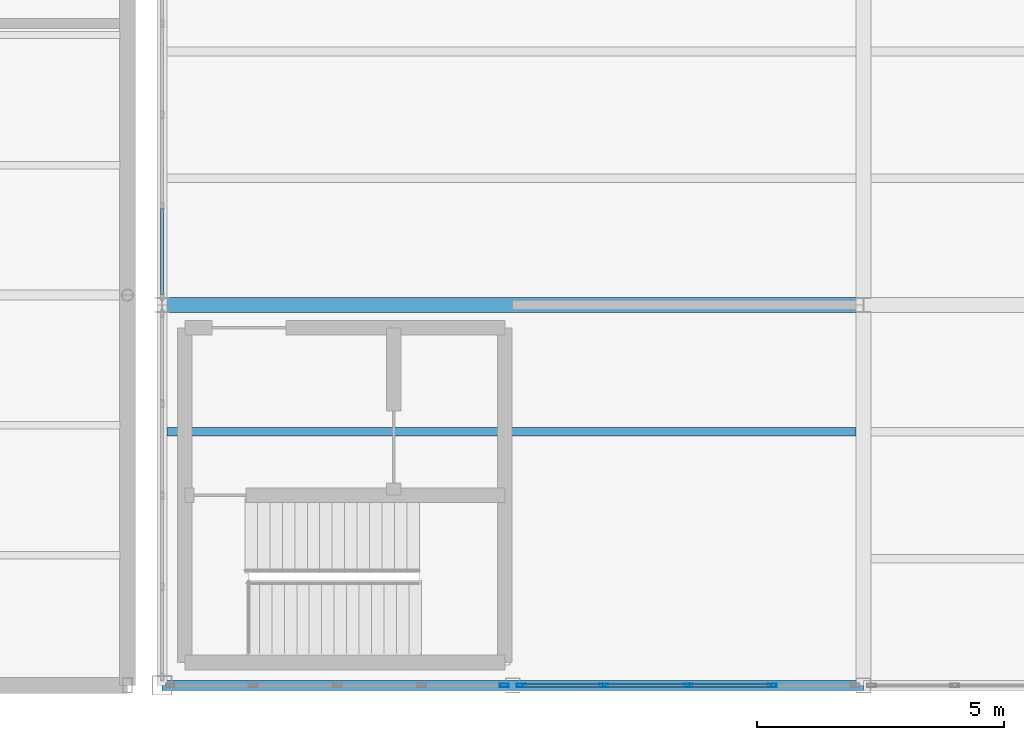
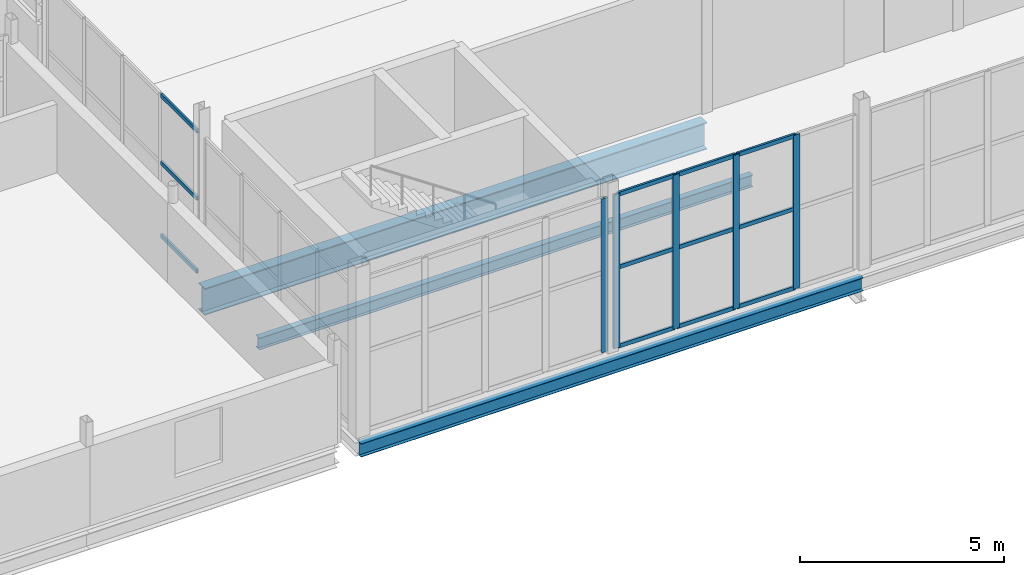
# One storey, part 106 of 218: 17 members, 3 beams, 3 elements without a shape of their own.
"""IFC4 building model written with IfcOpenShell, lengths in metres."""

from ifc_helpers import new_model, si_unit, direction, frame, origin, origin_2d, place, context, subcontext, project, spatial, hollow_rectangle, i_section, extrude, material, material_profile, profile_set, type_object, element, aggregate, save


model = new_model("IFC4")

# Units and contexts
model_context = context("Model", 3, precision=1e-05, world=origin(), true_north=direction((0.0, 1.0)))
body_context = subcontext(model_context, "Body", "Model", "MODEL_VIEW")
ifc_project = project(units=[si_unit("LENGTHUNIT", "METRE"), si_unit("AREAUNIT", "SQUARE_METRE"), si_unit("VOLUMEUNIT", "CUBIC_METRE"), si_unit("PLANEANGLEUNIT", "RADIAN"), si_unit("MASSUNIT", "GRAM", prefix="KILO")], contexts=[model_context])

# Site, building, storey
site_placement = place(None, origin())
site = spatial("IfcSite", under=ifc_project, at=site_placement, CompositionType="ELEMENT")
building_placement = place(site_placement, origin())
building = spatial("IfcBuilding", under=site, at=building_placement, Name="Kazenagashi Tramway Depot", CompositionType="ELEMENT")
storey_placement = place(building_placement, frame((0.0, 0.0, 6.0)))
storey = spatial("IfcBuildingStorey", under=building, at=storey_placement, Name="L02", CompositionType="ELEMENT", Elevation=6.0)

# Beams
ifc_material_1 = material(Name="Steel SN490B", Category="steel")
ifc_material_profile_1 = material_profile(ifc_material_1, i_section(OverallWidth=0.3, OverallDepth=0.8, WebThickness=0.014, FlangeThickness=0.026, at=origin_2d()), Name="H-800x300x14x26")
ifc_profile_set_1 = profile_set([ifc_material_profile_1], Name="Steel SN490B")
beam_type_1 = type_object("IfcBeamType", Name="G-07", PredefinedType="BEAM", material=ifc_profile_set_1)
beam_1_placement = place(storey_placement, frame((146.3, 7.7, -0.68), z_axis=(1.0, 0.0, 0.0), x_axis=(0.0, 1.0, 0.0)))
element("IfcBeam", 1, at=beam_1_placement, inside=storey, type_object=beam_type_1, Name="Beam G-07 BM-1190", PredefinedType="BEAM", context=body_context, shape_type="SweptSolid", body=[
    extrude(i_section(OverallWidth=0.3, OverallDepth=0.8, WebThickness=0.014, FlangeThickness=0.026, at=origin_2d()), origin(), (0.0, 0.0, 1.0), 14.2),
])
ifc_material_2 = material(Name="Steel SN400B", Category="steel")
ifc_material_profile_2 = material_profile(ifc_material_2, i_section(OverallWidth=0.175, OverallDepth=0.35, WebThickness=0.007, FlangeThickness=0.011, at=origin_2d()), Name="H-350x175x7x11")
ifc_profile_set_2 = profile_set([ifc_material_profile_2], Name="Steel SN400B")
beam_type_2 = type_object("IfcBeamType", Name="J-01", PredefinedType="JOIST", material=ifc_profile_set_2)
beam_2_placement = place(storey_placement, frame((146.4, 5.133, -0.455), z_axis=(1.0, 0.0, 0.0), x_axis=(0.0, 1.0, 0.0)))
element("IfcBeam", 2, at=beam_2_placement, inside=storey, type_object=beam_type_2, Name="Beam J-01 BM-1231", PredefinedType="JOIST", context=body_context, shape_type="SweptSolid", body=[
    extrude(i_section(OverallWidth=0.175, OverallDepth=0.35, WebThickness=0.007, FlangeThickness=0.011, at=origin_2d()), origin(), (0.0, 0.0, 1.0), 13.95),
])

# Curtain wall, member
ifc_material_3 = material(Name="Anodised Aluminium and Low-E Glazing", Category="aluminium")
curtain_wall_type_1 = type_object("IfcCurtainWallType", Name="CW-22", PredefinedType="USERDEFINED", material=ifc_material_3)
curtain_wall_1_placement = place(storey_placement, origin())
curtain_wall_1 = element("IfcCurtainWall", 3, at=curtain_wall_1_placement, inside=storey, type_object=curtain_wall_type_1, Name="Industrial Glazed Screen CW-22 CW-0119", ObjectType="GLAZED SCREEN", PredefinedType="USERDEFINED")
ifc_material_4 = material(Name="Anodised Aluminium", Category="aluminium")
ifc_material_profile_3 = material_profile(ifc_material_4, hollow_rectangle(XDim=0.07, YDim=0.18, WallThickness=0.005, at=origin_2d()), Name="RHS-180x70x5")
ifc_profile_set_3 = profile_set([ifc_material_profile_3], Name="Anodised Aluminium")
member_type_1 = type_object("IfcMemberType", Name="ML-02", PredefinedType="MULLION", material=ifc_profile_set_3)
member_1_placement = place(storey_placement, frame((153.23, 0.0, 0.0), z_axis=(0.0, 0.0, 1.0), x_axis=(0.0, 1.0, 0.0)))
member_1 = element("IfcMember", 4, at=member_1_placement, type_object=member_type_1, Name="CW-22 mullion 5", PredefinedType="MULLION", context=body_context, shape_type="SweptSolid", body=[
    extrude(hollow_rectangle(XDim=0.07, YDim=0.18, WallThickness=0.005, at=origin_2d()), origin(), (0.0, 0.0, 1.0), 4.6),
])
aggregate(curtain_wall_1, [member_1])

# Curtain wall, members
curtain_wall_2_placement = place(storey_placement, origin())
curtain_wall_2 = element("IfcCurtainWall", 5, at=curtain_wall_2_placement, inside=storey, type_object=curtain_wall_type_1, Name="Industrial Glazed Screen CW-22 CW-0120", ObjectType="GLAZED SCREEN", PredefinedType="USERDEFINED")
member_2_placement = place(storey_placement, frame((153.57, 0.0, 0.0), z_axis=(0.0, 0.0, 1.0), x_axis=(0.0, 1.0, 0.0)))
member_2 = element("IfcMember", 6, at=member_2_placement, type_object=member_type_1, Name="CW-22 mullion 1", PredefinedType="MULLION", context=body_context, shape_type="SweptSolid", body=[
    extrude(hollow_rectangle(XDim=0.07, YDim=0.18, WallThickness=0.005, at=origin_2d()), origin(), (0.0, 0.0, 1.0), 4.6),
])
member_3_placement = place(storey_placement, frame((155.245, 0.0, 0.0), z_axis=(0.0, 0.0, 1.0), x_axis=(0.0, 1.0, 0.0)))
member_3 = element("IfcMember", 7, at=member_3_placement, type_object=member_type_1, Name="CW-22 mullion 2", PredefinedType="MULLION", context=body_context, shape_type="SweptSolid", body=[
    extrude(hollow_rectangle(XDim=0.07, YDim=0.18, WallThickness=0.005, at=origin_2d()), origin(), (0.0, 0.0, 1.0), 4.6),
])
member_4_placement = place(storey_placement, frame((156.95, 0.0, 0.0), z_axis=(0.0, 0.0, 1.0), x_axis=(0.0, 1.0, 0.0)))
member_4 = element("IfcMember", 8, at=member_4_placement, type_object=member_type_1, Name="CW-22 mullion 3", PredefinedType="MULLION", context=body_context, shape_type="SweptSolid", body=[
    extrude(hollow_rectangle(XDim=0.07, YDim=0.18, WallThickness=0.005, at=origin_2d()), origin(), (0.0, 0.0, 1.0), 4.6),
])
member_5_placement = place(storey_placement, frame((158.655, 0.0, 0.0), z_axis=(0.0, 0.0, 1.0), x_axis=(0.0, 1.0, 0.0)))
member_5 = element("IfcMember", 9, at=member_5_placement, type_object=member_type_1, Name="CW-22 mullion 4", PredefinedType="MULLION", context=body_context, shape_type="SweptSolid", body=[
    extrude(hollow_rectangle(XDim=0.07, YDim=0.18, WallThickness=0.005, at=origin_2d()), origin(), (0.0, 0.0, 1.0), 4.6),
])

# Beam
ifc_material_profile_4 = material_profile(ifc_material_1, i_section(OverallWidth=0.2, OverallDepth=0.4, WebThickness=0.008, FlangeThickness=0.013, at=origin_2d()), Name="H-400x200x8x13")
ifc_profile_set_4 = profile_set([ifc_material_profile_4], Name="Steel SN490B")
beam_type_3 = type_object("IfcBeamType", Name="SP-04", PredefinedType="SPANDREL", material=ifc_profile_set_4)
beam_3_placement = place(storey_placement, frame((146.3, 0.0, -0.48), z_axis=(1.0, 0.0, 0.0), x_axis=(0.0, 1.0, 0.0)))
element("IfcBeam", 10, at=beam_3_placement, inside=storey, type_object=beam_type_3, Name="Beam SP-04 BM-1185", PredefinedType="SPANDREL", context=body_context, shape_type="SweptSolid", body=[
    extrude(i_section(OverallWidth=0.2, OverallDepth=0.4, WebThickness=0.008, FlangeThickness=0.013, at=origin_2d()), origin(), (0.0, 0.0, 1.0), 14.2),
])

# Member
ifc_material_profile_5 = material_profile(ifc_material_4, hollow_rectangle(XDim=0.06, YDim=0.12, WallThickness=0.004, at=origin_2d()), Name="RHS-120x60x4")
ifc_profile_set_5 = profile_set([ifc_material_profile_5], Name="Anodised Aluminium")
member_type_2 = type_object("IfcMemberType", Name="TR-01", PredefinedType="USERDEFINED", material=ifc_profile_set_5)
member_6_placement = place(storey_placement, frame((153.6, 0.0, 0.03), z_axis=(1.0, 0.0, 0.0), x_axis=(0.0, 1.0, 0.0)))
member_6 = element("IfcMember", 11, at=member_6_placement, type_object=member_type_2, Name="CW-22 transom 1.1", ObjectType="TRANSOM", PredefinedType="USERDEFINED", context=body_context, shape_type="SweptSolid", body=[
    extrude(hollow_rectangle(XDim=0.06, YDim=0.12, WallThickness=0.004, at=origin_2d()), origin(), (0.0, 0.0, 1.0), 1.615),
])

member_7_placement = place(storey_placement, frame((153.6, 0.0, 2.392), z_axis=(1.0, 0.0, 0.0), x_axis=(0.0, 1.0, 0.0)))
member_7 = element("IfcMember", 12, at=member_7_placement, type_object=member_type_2, Name="CW-22 transom 1.2", ObjectType="TRANSOM", PredefinedType="USERDEFINED", context=body_context, shape_type="SweptSolid", body=[
    extrude(hollow_rectangle(XDim=0.06, YDim=0.12, WallThickness=0.004, at=origin_2d()), origin(), (0.0, 0.0, 1.0), 1.615),
])

member_8_placement = place(storey_placement, frame((153.6, 0.0, 4.57), z_axis=(1.0, 0.0, 0.0), x_axis=(0.0, 1.0, 0.0)))
member_8 = element("IfcMember", 13, at=member_8_placement, type_object=member_type_2, Name="CW-22 transom 1.3", ObjectType="TRANSOM", PredefinedType="USERDEFINED", context=body_context, shape_type="SweptSolid", body=[
    extrude(hollow_rectangle(XDim=0.06, YDim=0.12, WallThickness=0.004, at=origin_2d()), origin(), (0.0, 0.0, 1.0), 1.615),
])

member_9_placement = place(storey_placement, frame((155.275, 0.0, 0.03), z_axis=(1.0, 0.0, 0.0), x_axis=(0.0, 1.0, 0.0)))
member_9 = element("IfcMember", 14, at=member_9_placement, type_object=member_type_2, Name="CW-22 transom 2.1", ObjectType="TRANSOM", PredefinedType="USERDEFINED", context=body_context, shape_type="SweptSolid", body=[
    extrude(hollow_rectangle(XDim=0.06, YDim=0.12, WallThickness=0.004, at=origin_2d()), origin(), (0.0, 0.0, 1.0), 1.645),
])

member_10_placement = place(storey_placement, frame((155.275, 0.0, 2.392), z_axis=(1.0, 0.0, 0.0), x_axis=(0.0, 1.0, 0.0)))
member_10 = element("IfcMember", 15, at=member_10_placement, type_object=member_type_2, Name="CW-22 transom 2.2", ObjectType="TRANSOM", PredefinedType="USERDEFINED", context=body_context, shape_type="SweptSolid", body=[
    extrude(hollow_rectangle(XDim=0.06, YDim=0.12, WallThickness=0.004, at=origin_2d()), origin(), (0.0, 0.0, 1.0), 1.645),
])

member_11_placement = place(storey_placement, frame((155.275, 0.0, 4.57), z_axis=(1.0, 0.0, 0.0), x_axis=(0.0, 1.0, 0.0)))
member_11 = element("IfcMember", 16, at=member_11_placement, type_object=member_type_2, Name="CW-22 transom 2.3", ObjectType="TRANSOM", PredefinedType="USERDEFINED", context=body_context, shape_type="SweptSolid", body=[
    extrude(hollow_rectangle(XDim=0.06, YDim=0.12, WallThickness=0.004, at=origin_2d()), origin(), (0.0, 0.0, 1.0), 1.645),
])

member_12_placement = place(storey_placement, frame((156.98, 0.0, 0.03), z_axis=(1.0, 0.0, 0.0), x_axis=(0.0, 1.0, 0.0)))
member_12 = element("IfcMember", 17, at=member_12_placement, type_object=member_type_2, Name="CW-22 transom 3.1", ObjectType="TRANSOM", PredefinedType="USERDEFINED", context=body_context, shape_type="SweptSolid", body=[
    extrude(hollow_rectangle(XDim=0.06, YDim=0.12, WallThickness=0.004, at=origin_2d()), origin(), (0.0, 0.0, 1.0), 1.645),
])

member_13_placement = place(storey_placement, frame((156.98, 0.0, 2.392), z_axis=(1.0, 0.0, 0.0), x_axis=(0.0, 1.0, 0.0)))
member_13 = element("IfcMember", 18, at=member_13_placement, type_object=member_type_2, Name="CW-22 transom 3.2", ObjectType="TRANSOM", PredefinedType="USERDEFINED", context=body_context, shape_type="SweptSolid", body=[
    extrude(hollow_rectangle(XDim=0.06, YDim=0.12, WallThickness=0.004, at=origin_2d()), origin(), (0.0, 0.0, 1.0), 1.645),
])

member_14_placement = place(storey_placement, frame((156.98, 0.0, 4.57), z_axis=(1.0, 0.0, 0.0), x_axis=(0.0, 1.0, 0.0)))
member_14 = element("IfcMember", 19, at=member_14_placement, type_object=member_type_2, Name="CW-22 transom 3.3", ObjectType="TRANSOM", PredefinedType="USERDEFINED", context=body_context, shape_type="SweptSolid", body=[
    extrude(hollow_rectangle(XDim=0.06, YDim=0.12, WallThickness=0.004, at=origin_2d()), origin(), (0.0, 0.0, 1.0), 1.645),
])

aggregate(curtain_wall_2, [member_2, member_3, member_4, member_5, member_6, member_7, member_8, member_9, member_10, member_11, member_12, member_13, member_14])

# Curtain wall, members
curtain_wall_type_2 = type_object("IfcCurtainWallType", Name="CW-31", PredefinedType="USERDEFINED", material=ifc_material_3)
curtain_wall_3_placement = place(storey_placement, origin())
curtain_wall_3 = element("IfcCurtainWall", 20, at=curtain_wall_3_placement, inside=storey, type_object=curtain_wall_type_2, Name="Industrial Glazed Screen CW-31 CW-0160", ObjectType="GLAZED SCREEN", PredefinedType="USERDEFINED")
member_15_placement = place(storey_placement, frame((146.3, 7.9, 0.03), z_axis=(0.0, 1.0, 0.0), x_axis=(-1.0, 0.0, 0.0)))
member_15 = element("IfcMember", 21, at=member_15_placement, type_object=member_type_2, Name="CW-31 transom 1.1", ObjectType="TRANSOM", PredefinedType="USERDEFINED", context=body_context, shape_type="SweptSolid", body=[
    extrude(hollow_rectangle(XDim=0.06, YDim=0.12, WallThickness=0.004, at=origin_2d()), origin(), (0.0, 0.0, 1.0), 1.765),
])
member_16_placement = place(storey_placement, frame((146.3, 7.9, 2.21), z_axis=(0.0, 1.0, 0.0), x_axis=(-1.0, 0.0, 0.0)))
member_16 = element("IfcMember", 22, at=member_16_placement, type_object=member_type_2, Name="CW-31 transom 1.2", ObjectType="TRANSOM", PredefinedType="USERDEFINED", context=body_context, shape_type="SweptSolid", body=[
    extrude(hollow_rectangle(XDim=0.06, YDim=0.12, WallThickness=0.004, at=origin_2d()), origin(), (0.0, 0.0, 1.0), 1.765),
])
member_17_placement = place(storey_placement, frame((146.3, 7.9, 4.22), z_axis=(0.0, 1.0, 0.0), x_axis=(-1.0, 0.0, 0.0)))
member_17 = element("IfcMember", 23, at=member_17_placement, type_object=member_type_2, Name="CW-31 transom 1.3", ObjectType="TRANSOM", PredefinedType="USERDEFINED", context=body_context, shape_type="SweptSolid", body=[
    extrude(hollow_rectangle(XDim=0.06, YDim=0.12, WallThickness=0.004, at=origin_2d()), origin(), (0.0, 0.0, 1.0), 1.765),
])
aggregate(curtain_wall_3, [member_15, member_16, member_17])

save(model, "model.ifc")
